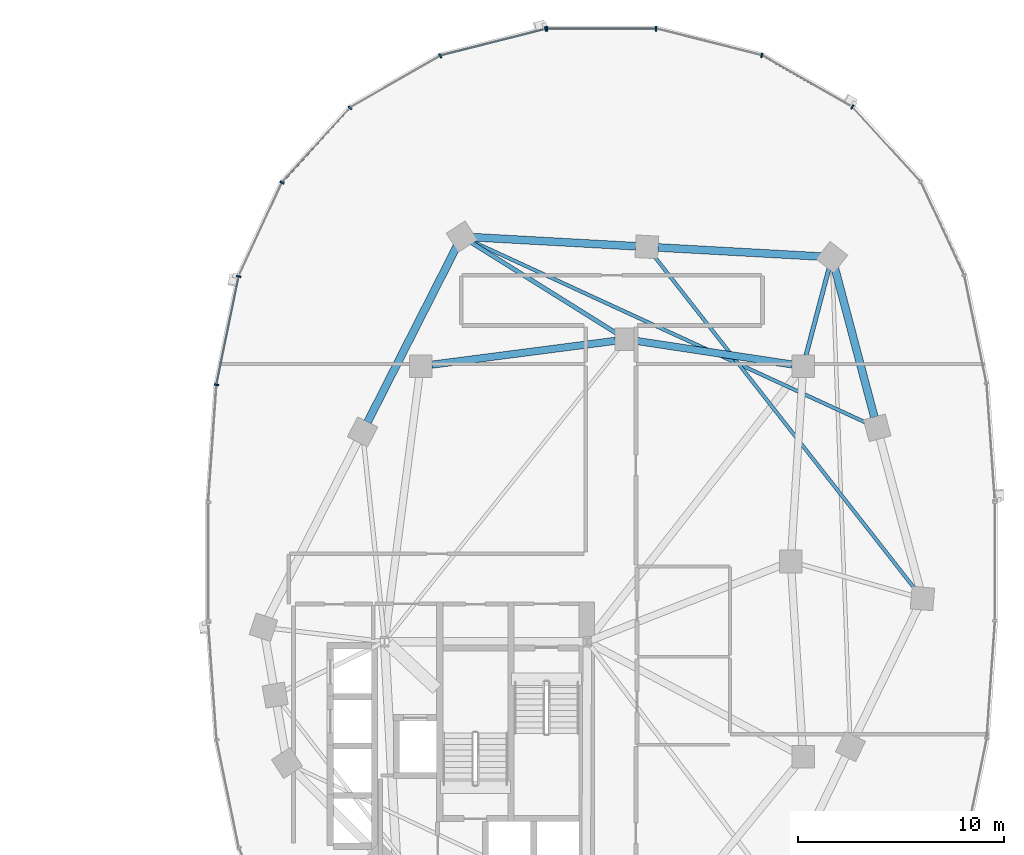
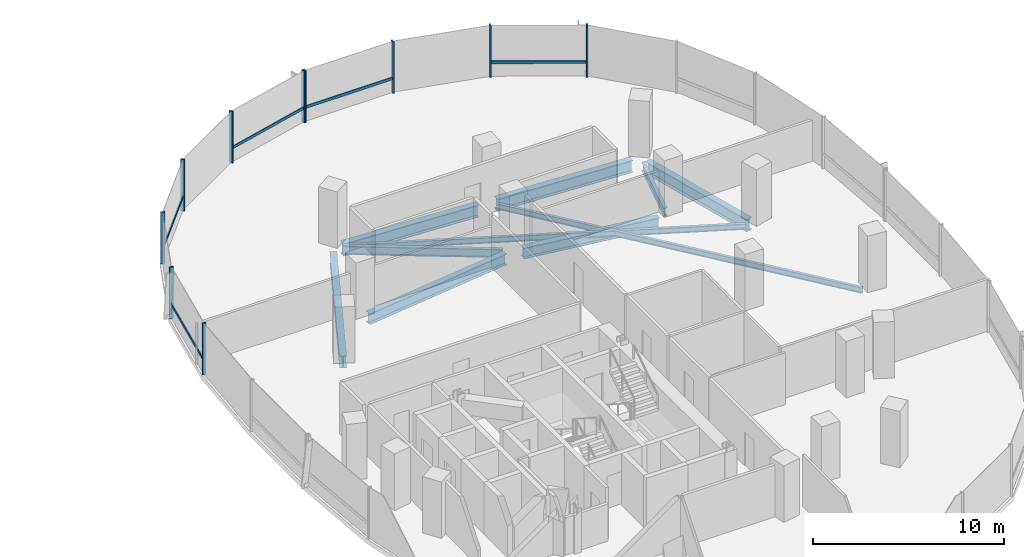
# One storey, part 7 of 21: 15 members, 10 beams, 2 elements without a shape of their own.
"""IFC4 building model written with IfcOpenShell, lengths in metres."""

from ifc_helpers import new_model, si_unit, direction, frame, origin, origin_2d, place, context, subcontext, project, spatial, rectangle, i_section, extrude, material, material_profile, profile_set, type_object, element, aggregate, save


model = new_model("IFC4")

# Units and contexts
model_context = context("Model", 3, precision=1e-05, world=origin(), true_north=direction((0.0, 1.0)))
body_context = subcontext(model_context, "Body", "Model", "MODEL_VIEW")
ifc_project = project(units=[si_unit("LENGTHUNIT", "METRE"), si_unit("AREAUNIT", "SQUARE_METRE"), si_unit("VOLUMEUNIT", "CUBIC_METRE"), si_unit("PLANEANGLEUNIT", "RADIAN"), si_unit("MASSUNIT", "GRAM", prefix="KILO"), si_unit("THERMODYNAMICTEMPERATUREUNIT", "KELVIN"), si_unit("POWERUNIT", "WATT")], contexts=[model_context])

# Site, building, storey
site_placement = place(None, origin())
site = spatial("IfcSite", under=ifc_project, at=site_placement, CompositionType="ELEMENT")
building_placement = place(site_placement, origin())
building = spatial("IfcBuilding", under=site, at=building_placement, Name="Cundina Bronze Exchange", CompositionType="ELEMENT")
storey_placement = place(building_placement, frame((0.0, 0.0, 110.60009765625)))
storey = spatial("IfcBuildingStorey", under=building, at=storey_placement, Name="L28", CompositionType="ELEMENT", Elevation=110.60009765625)

# Beams
ifc_material_1 = material(Name="Steel ASTM A992 Grade 50", Category="steel")
ifc_material_profile_1 = material_profile(ifc_material_1, i_section(OverallWidth=0.2099609375, OverallDepth=0.532958984375, WebThickness=0.01025390625, FlangeThickness=0.015625, FilletRadius=0.013916015625, at=origin_2d()), Name="W21X62", Category="steel")
ifc_profile_set_1 = profile_set([ifc_material_profile_1], Name="Steel ASTM A992 Grade 50")
beam_type_1 = type_object("IfcBeamType", Name="BM-FLR-W21B", PredefinedType="BEAM", material=ifc_profile_set_1)
beam_1_placement = place(storey_placement, frame((41.9375, 10.020263671875, -0.566650390625), z_axis=(0.255357891402, 0.966846599673, 0.0), x_axis=(-0.966846599673, 0.255357891402, 0.0)))
element("IfcBeam", 1, at=beam_1_placement, inside=storey, type_object=beam_type_1, Name="L28 Leg E Chordal Floor Beam 10", PredefinedType="BEAM", context=body_context, shape_type="SweptSolid", body=[
    extrude(i_section(OverallWidth=0.2099609375, OverallDepth=0.532958984375, WebThickness=0.01025390625, FlangeThickness=0.015625, FilletRadius=0.013916015625, at=origin_2d()), origin(), (0.0, 0.0, 1.0), 4.405517578125),
])
beam_2_placement = place(storey_placement, frame((32.743896484375, 11.085205078125, -0.566650390625), z_axis=(-0.848003227047, 0.529991063055, 0.0), x_axis=(-0.529991063055, -0.848003227047, 0.0)))
element("IfcBeam", 2, at=beam_2_placement, inside=storey, type_object=beam_type_1, Name="L28 Leg E Chordal Floor Beam 12", PredefinedType="BEAM", context=body_context, shape_type="SweptSolid", body=[
    extrude(i_section(OverallWidth=0.2099609375, OverallDepth=0.532958984375, WebThickness=0.01025390625, FlangeThickness=0.015625, FilletRadius=0.013916015625, at=origin_2d()), origin(), (0.0, 0.0, 1.0), 8.358154296875),
])
ifc_material_profile_2 = material_profile(ifc_material_1, i_section(OverallWidth=0.172119140625, OverallDepth=0.35791015625, WebThickness=0.0078125, FlangeThickness=0.01318359375, FilletRadius=0.010009765625, at=origin_2d()), Name="W14X38", Category="steel")
ifc_profile_set_2 = profile_set([ifc_material_profile_2], Name="Steel ASTM A992 Grade 50")
beam_type_2 = type_object("IfcBeamType", Name="BM-JST-W14", PredefinedType="JOIST", material=ifc_profile_set_2)
beam_3_placement = place(storey_placement, frame((47.268310546875, -1.37646484375, -0.47900390625), z_axis=(-0.616815348306, 0.787107887201, 0.0), x_axis=(-0.787107887201, -0.616815348306, 0.0)))
element("IfcBeam", 3, at=beam_3_placement, inside=storey, type_object=beam_type_2, Name="L28 Leg E Lobe Floor Joist 08-11", PredefinedType="JOIST", context=body_context, shape_type="SweptSolid", body=[
    extrude(i_section(OverallWidth=0.172119140625, OverallDepth=0.35791015625, WebThickness=0.0078125, FlangeThickness=0.01318359375, FilletRadius=0.010009765625, at=origin_2d()), origin(), (0.0, 0.0, 1.0), 20.64892578125),
])
beam_4_placement = place(storey_placement, frame((44.911376953125, 6.72509765625, -0.47900390625), z_axis=(-0.908357076874, 0.41819543385, 0.0), x_axis=(-0.41819543385, -0.908357076874, 0.0)))
element("IfcBeam", 4, at=beam_4_placement, inside=storey, type_object=beam_type_2, Name="L28 Leg E Lobe Floor Joist 09-12", PredefinedType="JOIST", context=body_context, shape_type="SweptSolid", body=[
    extrude(i_section(OverallWidth=0.172119140625, OverallDepth=0.35791015625, WebThickness=0.0078125, FlangeThickness=0.01318359375, FilletRadius=0.010009765625, at=origin_2d()), origin(), (0.0, 0.0, 1.0), 21.162109375),
])
ifc_material_profile_3 = material_profile(ifc_material_1, i_section(OverallWidth=0.35498046875, OverallDepth=0.695068359375, WebThickness=0.015380859375, FlangeThickness=0.02490234375, FilletRadius=0.01806640625, at=origin_2d()), Name="W27X146", Category="steel")
ifc_profile_set_3 = profile_set([ifc_material_profile_3], Name="Steel ASTM A992 Grade 50")
beam_type_3 = type_object("IfcBeamType", Name="BM-RING-W27", PredefinedType="USERDEFINED", material=ifc_profile_set_3)
beam_5_placement = place(storey_placement, frame((41.26806640625, 9.580322265625, -0.647705078125), z_axis=(-0.988767489563, 0.149461873341, 0.0), x_axis=(-0.149461873341, -0.988767489563, 0.0)))
element("IfcBeam", 5, at=beam_5_placement, inside=storey, type_object=beam_type_3, Name="L28 E Inner Structural Ring Girder 05", ObjectType="GIRDER", PredefinedType="USERDEFINED", context=body_context, shape_type="SweptSolid", body=[
    extrude(i_section(OverallWidth=0.35498046875, OverallDepth=0.695068359375, WebThickness=0.015380859375, FlangeThickness=0.02490234375, FilletRadius=0.01806640625, at=origin_2d()), origin(), (0.0, 0.0, 1.0), 7.621826171875),
])
beam_6_placement = place(storey_placement, frame((32.66650390625, 10.730712890625, -0.647705078125), z_axis=(-0.991654577907, -0.128923225666, 0.0), x_axis=(0.128923225666, -0.991654577907, 0.0)))
element("IfcBeam", 6, at=beam_6_placement, inside=storey, type_object=beam_type_3, Name="L28 E Inner Structural Ring Girder 06", ObjectType="GIRDER", PredefinedType="USERDEFINED", context=body_context, shape_type="SweptSolid", body=[
    extrude(i_section(OverallWidth=0.35498046875, OverallDepth=0.695068359375, WebThickness=0.015380859375, FlangeThickness=0.02490234375, FilletRadius=0.01806640625, at=origin_2d()), origin(), (0.0, 0.0, 1.0), 9.00830078125),
])
ifc_material_profile_4 = material_profile(ifc_material_1, i_section(OverallWidth=0.381103515625, OverallDepth=0.77294921875, WebThickness=0.0166015625, FlangeThickness=0.027099609375, FilletRadius=0.01904296875, at=origin_2d()), Name="W30X173", Category="steel")
ifc_profile_set_4 = profile_set([ifc_material_profile_4], Name="Steel ASTM A992 Grade 50")
beam_type_4 = type_object("IfcBeamType", Name="BM-RING-W30", PredefinedType="USERDEFINED", material=ifc_profile_set_4)
beam_7_placement = place(storey_placement, frame((45.26220703125, 7.02001953125, -0.6865234375), z_axis=(-0.256209719931, 0.966621218168, 0.0), x_axis=(-0.966621218168, -0.256209719931, 0.0)))
element("IfcBeam", 7, at=beam_7_placement, inside=storey, type_object=beam_type_4, Name="L28 E Perimeter Ring Girder 09", ObjectType="GIRDER", PredefinedType="USERDEFINED", context=body_context, shape_type="SweptSolid", body=[
    extrude(i_section(OverallWidth=0.381103515625, OverallDepth=0.77294921875, WebThickness=0.0166015625, FlangeThickness=0.027099609375, FilletRadius=0.01904296875, at=origin_2d()), origin(), (0.0, 0.0, 1.0), 7.5107421875),
])
for number, where, z_axis, x_axis, name in (
    (8, (42.662841796875, 14.829833984375, -0.6865234375), (-0.99845950136, 0.055485350721, 0.0), (-0.055485350721, -0.99845950136, 0.0), "L28 E Perimeter Ring Girder 10"),
    (9, (33.662841796875, 15.329833984375, -0.6865234375), (-0.99845950136, 0.055485350721, 0.0), (-0.055485350721, -0.99845950136, 0.0), "L28 E Perimeter Ring Girder 11"),
):
    element("IfcBeam", number, at=place(storey_placement, frame(where, z_axis=z_axis, x_axis=x_axis)), inside=storey, type_object=beam_type_4, Name=name, ObjectType="GIRDER", PredefinedType="USERDEFINED", context=body_context, shape_type="SweptSolid", body=[
        extrude(i_section(OverallWidth=0.381103515625, OverallDepth=0.77294921875, WebThickness=0.0166015625, FlangeThickness=0.027099609375, FilletRadius=0.01904296875, at=origin_2d()), origin(), (0.0, 0.0, 1.0), 7.937744140625),
    ])
beam_8_placement = place(storey_placement, frame((24.956298828125, 15.3203125, -0.6865234375), z_axis=(-0.452832332744, -0.891595692241, 0.0), x_axis=(0.891595692241, -0.452832332744, 0.0)))
element("IfcBeam", 10, at=beam_8_placement, inside=storey, type_object=beam_type_4, Name="L28 E Perimeter Ring Girder 12", ObjectType="GIRDER", PredefinedType="USERDEFINED", context=body_context, shape_type="SweptSolid", body=[
    extrude(i_section(OverallWidth=0.381103515625, OverallDepth=0.77294921875, WebThickness=0.0166015625, FlangeThickness=0.027099609375, FilletRadius=0.01904296875, at=origin_2d()), origin(), (0.0, 0.0, 1.0), 9.578857421875),
])

# Curtain wall, members
ifc_material_2 = material(Name="Anodised Bronze Aluminium 6063-T6", Category="aluminium")
curtain_wall_type = type_object("IfcCurtainWallType", Name="CWS-TRD-MID", PredefinedType="NOTDEFINED", material=ifc_material_2)
curtain_wall_1_placement = place(storey_placement, origin())
curtain_wall_1 = element("IfcCurtainWall", 11, at=curtain_wall_1_placement, inside=storey, type_object=curtain_wall_type, Name="L28 CW-03 Curtain Wall Run CWR-L28-E1", PredefinedType="NOTDEFINED")
ifc_material_profile_5 = material_profile(ifc_material_2, rectangle(XDim=0.074951171875, YDim=0.219970703125, at=origin_2d()), Name="AL75X220", Category="aluminium")
ifc_profile_set_5 = profile_set([ifc_material_profile_5], Name="Anodised Bronze Aluminium 6063-T6")
member_type_1 = type_object("IfcMemberType", Name="CWM-MUL-220", PredefinedType="MULLION", material=ifc_profile_set_5)
member_1_placement = place(storey_placement, frame((44.189697265625, 22.097412109375, 0.0), z_axis=(0.0, 0.0, 1.0), x_axis=(-0.867070701164, 0.498185105339, 0.0)))
member_1 = element("IfcMember", 12, at=member_1_placement, type_object=member_type_1, Name="CW-03 Mullion 5", PredefinedType="MULLION", context=body_context, shape_type="SweptSolid", body=[
    extrude(rectangle(XDim=0.074951171875, YDim=0.219970703125, at=origin_2d()), origin(), (0.0, 0.0, 1.0), 3.2998046875),
])
member_2_placement = place(storey_placement, frame((39.78515625, 24.61669921875, 0.0), z_axis=(0.0, 0.0, 1.0), x_axis=(-0.969488149345, 0.245138182011, 0.0)))
member_2 = element("IfcMember", 13, at=member_2_placement, type_object=member_type_1, Name="CW-03 Mullion 6", PredefinedType="MULLION", context=body_context, shape_type="SweptSolid", body=[
    extrude(rectangle(XDim=0.074951171875, YDim=0.219970703125, at=origin_2d()), origin(), (0.0, 0.0, 1.0), 3.2998046875),
])
member_3_placement = place(storey_placement, frame((34.654541015625, 25.905029296875, 0.0), z_axis=(0.0, 0.0, 1.0), x_axis=(-1.0, 0.0, 0.0)))
member_3 = element("IfcMember", 14, at=member_3_placement, type_object=member_type_1, Name="CW-03 Mullion 7", PredefinedType="MULLION", context=body_context, shape_type="SweptSolid", body=[
    extrude(rectangle(XDim=0.074951171875, YDim=0.219970703125, at=origin_2d()), origin(), (0.0, 0.0, 1.0), 3.2998046875),
])
member_4_placement = place(storey_placement, frame((29.345458984375, 25.905029296875, 0.0), z_axis=(0.0, 0.0, 1.0), x_axis=(-1.0, 0.0, 0.0)))
member_4 = element("IfcMember", 15, at=member_4_placement, type_object=member_type_1, Name="CW-03 End Mullion", PredefinedType="MULLION", context=body_context, shape_type="SweptSolid", body=[
    extrude(rectangle(XDim=0.074951171875, YDim=0.219970703125, at=origin_2d()), origin(), (0.0, 0.0, 1.0), 3.2998046875),
])

curtain_wall_2_placement = place(storey_placement, origin())
curtain_wall_2 = element("IfcCurtainWall", 16, at=curtain_wall_2_placement, inside=storey, type_object=curtain_wall_type, Name="L28 CW-03 Curtain Wall Run CWR-L28-E2", PredefinedType="NOTDEFINED")
member_5_placement = place(storey_placement, frame((29.27392578125, 25.89599609375, 0.0), z_axis=(0.0, 0.0, 1.0), x_axis=(-0.969488149345, -0.245138182011, 0.0)))
member_5 = element("IfcMember", 17, at=member_5_placement, type_object=member_type_1, Name="CW-03 Mullion 1", PredefinedType="MULLION", context=body_context, shape_type="SweptSolid", body=[
    extrude(rectangle(XDim=0.074951171875, YDim=0.219970703125, at=origin_2d()), origin(), (0.0, 0.0, 1.0), 3.2998046875),
])
member_6_placement = place(storey_placement, frame((24.151123046875, 24.591064453125, 0.0), z_axis=(0.0, 0.0, 1.0), x_axis=(-0.867070701164, -0.498185105339, 0.0)))
member_6 = element("IfcMember", 18, at=member_6_placement, type_object=member_type_1, Name="CW-03 Mullion 2", PredefinedType="MULLION", context=body_context, shape_type="SweptSolid", body=[
    extrude(rectangle(XDim=0.074951171875, YDim=0.219970703125, at=origin_2d()), origin(), (0.0, 0.0, 1.0), 3.2998046875),
])
member_7_placement = place(storey_placement, frame((19.760498046875, 22.0576171875, 0.0), z_axis=(0.0, 0.0, 1.0), x_axis=(-0.674302387584, -0.738455340626, 0.0)))
member_7 = element("IfcMember", 19, at=member_7_placement, type_object=member_type_1, Name="CW-03 Mullion 3", PredefinedType="MULLION", context=body_context, shape_type="SweptSolid", body=[
    extrude(rectangle(XDim=0.074951171875, YDim=0.219970703125, at=origin_2d()), origin(), (0.0, 0.0, 1.0), 3.2998046875),
])
member_8_placement = place(storey_placement, frame((16.455810546875, 18.423583984375, 0.0), z_axis=(0.0, 0.0, 1.0), x_axis=(-0.42087749791, -0.907117485088, 0.0)))
member_8 = element("IfcMember", 20, at=member_8_placement, type_object=member_type_1, Name="CW-03 Mullion 4", PredefinedType="MULLION", context=body_context, shape_type="SweptSolid", body=[
    extrude(rectangle(XDim=0.074951171875, YDim=0.219970703125, at=origin_2d()), origin(), (0.0, 0.0, 1.0), 3.2998046875),
])
member_9_placement = place(storey_placement, frame((14.348876953125, 13.861328125, 0.0), z_axis=(0.0, 0.0, 1.0), x_axis=(-0.201419845156, -0.979505000486, 0.0)))
member_9 = element("IfcMember", 21, at=member_9_placement, type_object=member_type_1, Name="CW-03 Mullion 5", PredefinedType="MULLION", context=body_context, shape_type="SweptSolid", body=[
    extrude(rectangle(XDim=0.074951171875, YDim=0.219970703125, at=origin_2d()), origin(), (0.0, 0.0, 1.0), 3.2998046875),
])
member_10_placement = place(storey_placement, frame((13.27099609375, 8.591552734375, 0.0), z_axis=(0.0, 0.0, 1.0), x_axis=(-0.070278787473, -0.997527389113, 0.0)))
member_10 = element("IfcMember", 22, at=member_10_placement, type_object=member_type_1, Name="CW-03 Mullion 6", PredefinedType="MULLION", context=body_context, shape_type="SweptSolid", body=[
    extrude(rectangle(XDim=0.074951171875, YDim=0.219970703125, at=origin_2d()), origin(), (0.0, 0.0, 1.0), 3.2998046875),
])

# Member
ifc_material_profile_6 = material_profile(ifc_material_2, rectangle(XDim=0.070068359375, YDim=0.179931640625, at=origin_2d()), Name="AL70X180", Category="aluminium")
ifc_profile_set_6 = profile_set([ifc_material_profile_6], Name="Anodised Bronze Aluminium 6063-T6")
member_type_2 = type_object("IfcMemberType", Name="CWM-TRN-180", PredefinedType="USERDEFINED", material=ifc_profile_set_6)
member_11_placement = place(storey_placement, frame((44.154052734375, 22.117919921875, 0.919921875), z_axis=(-0.867097475651, 0.498138502546, 0.0), x_axis=(-0.498138502546, -0.867097475651, 0.0)))
member_11 = element("IfcMember", 23, at=member_11_placement, type_object=member_type_2, Name="CW-03 Spandrel Transom 5", ObjectType="TRANSOM", PredefinedType="USERDEFINED", context=body_context, shape_type="SweptSolid", body=[
    extrude(rectangle(XDim=0.070068359375, YDim=0.179931640625, at=origin_2d()), origin(), (0.0, 0.0, 1.0), 5.00634765625),
])

member_12_placement = place(storey_placement, frame((34.61328125, 25.905029296875, 0.919921875), z_axis=(-1.0, 0.0, 0.0), x_axis=(0.0, -1.0, 0.0)))
member_12 = element("IfcMember", 24, at=member_12_placement, type_object=member_type_2, Name="CW-03 Spandrel Transom 7", ObjectType="TRANSOM", PredefinedType="USERDEFINED", context=body_context, shape_type="SweptSolid", body=[
    extrude(rectangle(XDim=0.070068359375, YDim=0.179931640625, at=origin_2d()), origin(), (0.0, 0.0, 1.0), 5.2265625),
])

aggregate(curtain_wall_1, [member_1, member_11, member_2, member_3, member_4, member_12])

member_13_placement = place(storey_placement, frame((29.23388671875, 25.885986328125, 0.919921875), z_axis=(-0.969483968866, -0.245154714644, 0.0), x_axis=(0.245154714644, -0.969483968866, 0.0)))
member_13 = element("IfcMember", 25, at=member_13_placement, type_object=member_type_2, Name="CW-03 Spandrel Transom 1", ObjectType="TRANSOM", PredefinedType="USERDEFINED", context=body_context, shape_type="SweptSolid", body=[
    extrude(rectangle(XDim=0.070068359375, YDim=0.179931640625, at=origin_2d()), origin(), (0.0, 0.0, 1.0), 5.21826171875),
])

member_14_placement = place(storey_placement, frame((19.73291015625, 22.027099609375, 0.919921875), z_axis=(-0.674302794847, -0.738454968743, 0.0), x_axis=(0.738454968743, -0.674302794847, 0.0)))
member_14 = element("IfcMember", 26, at=member_14_placement, type_object=member_type_2, Name="CW-03 Spandrel Transom 3", ObjectType="TRANSOM", PredefinedType="USERDEFINED", context=body_context, shape_type="SweptSolid", body=[
    extrude(rectangle(XDim=0.070068359375, YDim=0.179931640625, at=origin_2d()), origin(), (0.0, 0.0, 1.0), 4.848388671875),
])

member_15_placement = place(storey_placement, frame((14.340576171875, 13.821044921875, 0.919921875), z_axis=(-0.201427712708, -0.979503382615, 0.0), x_axis=(0.979503382615, -0.201427712708, 0.0)))
member_15 = element("IfcMember", 27, at=member_15_placement, type_object=member_type_2, Name="CW-03 Spandrel Transom 5", ObjectType="TRANSOM", PredefinedType="USERDEFINED", context=body_context, shape_type="SweptSolid", body=[
    extrude(rectangle(XDim=0.070068359375, YDim=0.179931640625, at=origin_2d()), origin(), (0.0, 0.0, 1.0), 5.291748046875),
])

aggregate(curtain_wall_2, [member_5, member_13, member_6, member_7, member_14, member_8, member_9, member_15, member_10])

save(model, "model.ifc")
